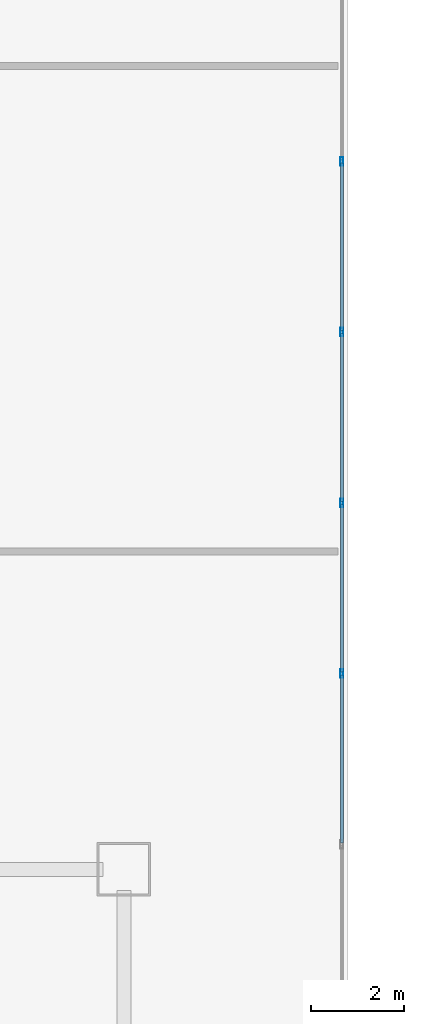
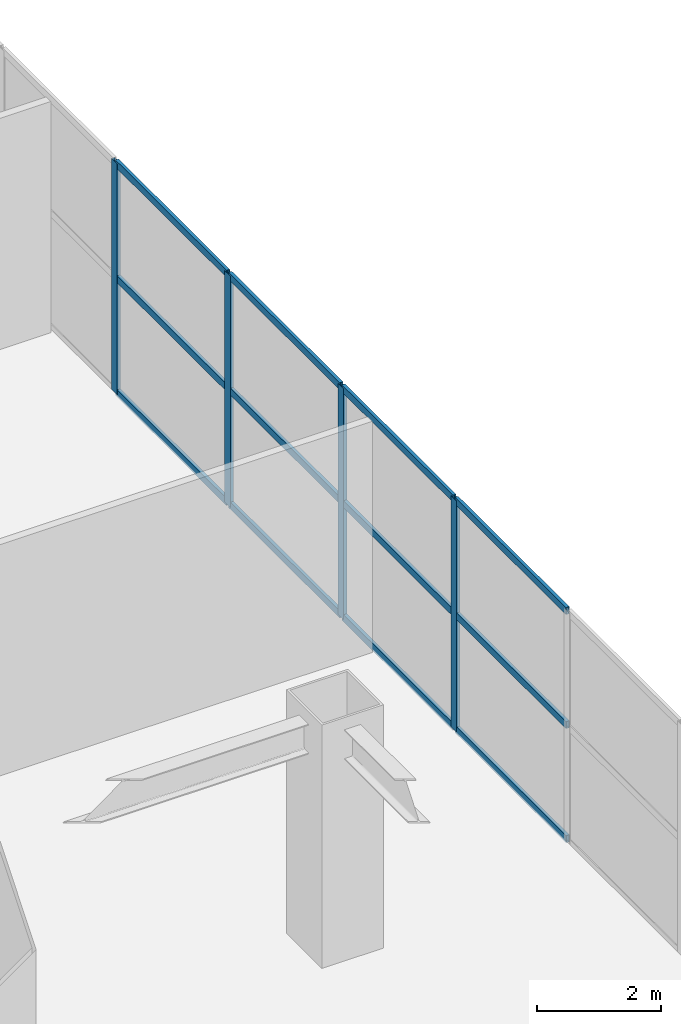
# One storey, part 20 of 31: 16 members, 1 element without a shape of its own.
"""IFC4 building model written with IfcOpenShell, lengths in metres."""

from ifc_helpers import new_model, si_unit, direction, frame, origin, origin_2d, place, context, subcontext, project, spatial, hollow_rectangle, extrude, material, layer, layer_set, material_profile, profile_set, type_object, element, aggregate, save


model = new_model("IFC4")

# Units and contexts
model_context = context("Model", 3, precision=1e-05, world=origin(), true_north=direction((0.0, 1.0)))
body_context = subcontext(model_context, "Body", "Model", "MODEL_VIEW")
ifc_project = project(units=[si_unit("LENGTHUNIT", "METRE"), si_unit("AREAUNIT", "SQUARE_METRE"), si_unit("VOLUMEUNIT", "CUBIC_METRE"), si_unit("PLANEANGLEUNIT", "RADIAN"), si_unit("MASSUNIT", "GRAM", prefix="KILO")], contexts=[model_context])

# Site, building, storey
site_placement = place(None, origin())
site = spatial("IfcSite", under=ifc_project, at=site_placement, CompositionType="ELEMENT")
building_placement = place(site_placement, origin())
building = spatial("IfcBuilding", under=site, at=building_placement, Name="Haolan Belvedere Tower", CompositionType="ELEMENT")
storey_placement = place(building_placement, frame((0.0, 0.0, 5.39990234375)))
storey = spatial("IfcBuildingStorey", under=building, at=storey_placement, Name="L01", CompositionType="ELEMENT", Elevation=5.39990234375)

# Curtain wall, members
ifc_material_1 = material(Name="Anodised champagne-silver aluminium 6063-T6 and Low-E glass", Category="aluminium")
ifc_layer = layer(ifc_material_1, 0.179931640625, Name="Anodised champagne-silver aluminium 6063-T6 and Low-E glass")
ifc_layer_set = layer_set([ifc_layer], Name="Anodised champagne-silver aluminium 6063-T6 and Low-E glass")
curtain_wall_type = type_object("IfcCurtainWallType", Name="CW-SYS-01", PredefinedType="NOTDEFINED", material=ifc_layer_set)
curtain_wall_placement = place(storey_placement, origin())
curtain_wall = element("IfcCurtainWall", 1, at=curtain_wall_placement, inside=storey, type_object=curtain_wall_type, Name="L01 CW-SYS-01 ribbon curtain wall 2.1", PredefinedType="NOTDEFINED")
ifc_material_2 = material(Name="Anodised aluminium 6063-T6", Category="aluminium")
ifc_material_profile_1 = material_profile(ifc_material_2, hollow_rectangle(XDim=0.06494140625, YDim=0.179931640625, WallThickness=0.00390625, at=origin_2d()), Name="Anodised aluminium 6063-T6")
ifc_profile_set_1 = profile_set([ifc_material_profile_1], Name="Anodised aluminium 6063-T6")
member_type_1 = type_object("IfcMemberType", Name="CW-SYS-01-MUL", PredefinedType="MULLION", material=ifc_profile_set_1)
member_1_placement = place(storey_placement, frame((75.469970703125, 31.790283203125, 0.0), z_axis=(0.0, 0.0, 1.0), x_axis=(-1.0, 0.0, 0.0)))
member_1 = element("IfcMember", 2, at=member_1_placement, type_object=member_type_1, Name="CW-01 mullion 8", PredefinedType="MULLION", context=body_context, shape_type="SweptSolid", body=[
    extrude(hollow_rectangle(XDim=0.06494140625, YDim=0.179931640625, WallThickness=0.00390625, at=origin_2d()), origin(), (0.0, 0.0, 1.0), 4.56005859375),
])
member_2_placement = place(storey_placement, frame((75.469970703125, 35.44677734375, 0.0), z_axis=(0.0, 0.0, 1.0), x_axis=(-1.0, 0.0, 0.0)))
member_2 = element("IfcMember", 3, at=member_2_placement, type_object=member_type_1, Name="CW-01 mullion 9", PredefinedType="MULLION", context=body_context, shape_type="SweptSolid", body=[
    extrude(hollow_rectangle(XDim=0.06494140625, YDim=0.179931640625, WallThickness=0.00390625, at=origin_2d()), origin(), (0.0, 0.0, 1.0), 4.56005859375),
])
member_3_placement = place(storey_placement, frame((75.469970703125, 39.103515625, 0.0), z_axis=(0.0, 0.0, 1.0), x_axis=(-1.0, 0.0, 0.0)))
member_3 = element("IfcMember", 4, at=member_3_placement, type_object=member_type_1, Name="CW-01 mullion 10", PredefinedType="MULLION", context=body_context, shape_type="SweptSolid", body=[
    extrude(hollow_rectangle(XDim=0.06494140625, YDim=0.179931640625, WallThickness=0.00390625, at=origin_2d()), origin(), (0.0, 0.0, 1.0), 4.56005859375),
])
member_4_placement = place(storey_placement, frame((75.469970703125, 42.760009765625, 0.0), z_axis=(0.0, 0.0, 1.0), x_axis=(-1.0, 0.0, 0.0)))
member_4 = element("IfcMember", 5, at=member_4_placement, type_object=member_type_1, Name="CW-01 mullion 11", PredefinedType="MULLION", context=body_context, shape_type="SweptSolid", body=[
    extrude(hollow_rectangle(XDim=0.06494140625, YDim=0.179931640625, WallThickness=0.00390625, at=origin_2d()), origin(), (0.0, 0.0, 1.0), 4.56005859375),
])
ifc_material_profile_2 = material_profile(ifc_material_2, hollow_rectangle(XDim=0.06005859375, YDim=0.139892578125, WallThickness=0.00390625, at=origin_2d()), Name="Anodised aluminium 6063-T6")
ifc_profile_set_2 = profile_set([ifc_material_profile_2], Name="Anodised aluminium 6063-T6")
member_type_2 = type_object("IfcMemberType", Name="CW-SYS-01-TRN", PredefinedType="USERDEFINED", material=ifc_profile_set_2)
member_5_placement = place(storey_placement, frame((75.469970703125, 28.166015625, 0.030029296875), z_axis=(0.0, 1.0, 0.0), x_axis=(-1.0, 0.0, 0.0)))
member_5 = element("IfcMember", 6, at=member_5_placement, type_object=member_type_2, Name="CW-01 transom 7.1", ObjectType="TRANSOM", PredefinedType="USERDEFINED", context=body_context, shape_type="SweptSolid", body=[
    extrude(hollow_rectangle(XDim=0.06005859375, YDim=0.139892578125, WallThickness=0.00390625, at=origin_2d()), origin(), (0.0, 0.0, 1.0), 3.591796875),
])
member_6_placement = place(storey_placement, frame((75.469970703125, 28.166015625, 2.280029296875), z_axis=(0.0, 1.0, 0.0), x_axis=(-1.0, 0.0, 0.0)))
member_6 = element("IfcMember", 7, at=member_6_placement, type_object=member_type_2, Name="CW-01 transom 7.2", ObjectType="TRANSOM", PredefinedType="USERDEFINED", context=body_context, shape_type="SweptSolid", body=[
    extrude(hollow_rectangle(XDim=0.06005859375, YDim=0.139892578125, WallThickness=0.00390625, at=origin_2d()), origin(), (0.0, 0.0, 1.0), 3.591796875),
])
member_7_placement = place(storey_placement, frame((75.469970703125, 28.166015625, 4.530029296875), z_axis=(0.0, 1.0, 0.0), x_axis=(-1.0, 0.0, 0.0)))
member_7 = element("IfcMember", 8, at=member_7_placement, type_object=member_type_2, Name="CW-01 transom 7.3", ObjectType="TRANSOM", PredefinedType="USERDEFINED", context=body_context, shape_type="SweptSolid", body=[
    extrude(hollow_rectangle(XDim=0.06005859375, YDim=0.139892578125, WallThickness=0.00390625, at=origin_2d()), origin(), (0.0, 0.0, 1.0), 3.591796875),
])
member_8_placement = place(storey_placement, frame((75.469970703125, 31.82275390625, 0.030029296875), z_axis=(0.0, 1.0, 0.0), x_axis=(-1.0, 0.0, 0.0)))
member_8 = element("IfcMember", 9, at=member_8_placement, type_object=member_type_2, Name="CW-01 transom 8.1", ObjectType="TRANSOM", PredefinedType="USERDEFINED", context=body_context, shape_type="SweptSolid", body=[
    extrude(hollow_rectangle(XDim=0.06005859375, YDim=0.139892578125, WallThickness=0.00390625, at=origin_2d()), origin(), (0.0, 0.0, 1.0), 3.591552734375),
])
member_9_placement = place(storey_placement, frame((75.469970703125, 31.82275390625, 2.280029296875), z_axis=(0.0, 1.0, 0.0), x_axis=(-1.0, 0.0, 0.0)))
member_9 = element("IfcMember", 10, at=member_9_placement, type_object=member_type_2, Name="CW-01 transom 8.2", ObjectType="TRANSOM", PredefinedType="USERDEFINED", context=body_context, shape_type="SweptSolid", body=[
    extrude(hollow_rectangle(XDim=0.06005859375, YDim=0.139892578125, WallThickness=0.00390625, at=origin_2d()), origin(), (0.0, 0.0, 1.0), 3.591552734375),
])
member_10_placement = place(storey_placement, frame((75.469970703125, 31.82275390625, 4.530029296875), z_axis=(0.0, 1.0, 0.0), x_axis=(-1.0, 0.0, 0.0)))
member_10 = element("IfcMember", 11, at=member_10_placement, type_object=member_type_2, Name="CW-01 transom 8.3", ObjectType="TRANSOM", PredefinedType="USERDEFINED", context=body_context, shape_type="SweptSolid", body=[
    extrude(hollow_rectangle(XDim=0.06005859375, YDim=0.139892578125, WallThickness=0.00390625, at=origin_2d()), origin(), (0.0, 0.0, 1.0), 3.591552734375),
])
member_11_placement = place(storey_placement, frame((75.469970703125, 35.479248046875, 0.030029296875), z_axis=(0.0, 1.0, 0.0), x_axis=(-1.0, 0.0, 0.0)))
member_11 = element("IfcMember", 12, at=member_11_placement, type_object=member_type_2, Name="CW-01 transom 9.1", ObjectType="TRANSOM", PredefinedType="USERDEFINED", context=body_context, shape_type="SweptSolid", body=[
    extrude(hollow_rectangle(XDim=0.06005859375, YDim=0.139892578125, WallThickness=0.00390625, at=origin_2d()), origin(), (0.0, 0.0, 1.0), 3.591796875),
])
member_12_placement = place(storey_placement, frame((75.469970703125, 35.479248046875, 2.280029296875), z_axis=(0.0, 1.0, 0.0), x_axis=(-1.0, 0.0, 0.0)))
member_12 = element("IfcMember", 13, at=member_12_placement, type_object=member_type_2, Name="CW-01 transom 9.2", ObjectType="TRANSOM", PredefinedType="USERDEFINED", context=body_context, shape_type="SweptSolid", body=[
    extrude(hollow_rectangle(XDim=0.06005859375, YDim=0.139892578125, WallThickness=0.00390625, at=origin_2d()), origin(), (0.0, 0.0, 1.0), 3.591796875),
])
member_13_placement = place(storey_placement, frame((75.469970703125, 35.479248046875, 4.530029296875), z_axis=(0.0, 1.0, 0.0), x_axis=(-1.0, 0.0, 0.0)))
member_13 = element("IfcMember", 14, at=member_13_placement, type_object=member_type_2, Name="CW-01 transom 9.3", ObjectType="TRANSOM", PredefinedType="USERDEFINED", context=body_context, shape_type="SweptSolid", body=[
    extrude(hollow_rectangle(XDim=0.06005859375, YDim=0.139892578125, WallThickness=0.00390625, at=origin_2d()), origin(), (0.0, 0.0, 1.0), 3.591796875),
])
member_14_placement = place(storey_placement, frame((75.469970703125, 39.135986328125, 0.030029296875), z_axis=(0.0, 1.0, 0.0), x_axis=(-1.0, 0.0, 0.0)))
member_14 = element("IfcMember", 15, at=member_14_placement, type_object=member_type_2, Name="CW-01 transom 10.1", ObjectType="TRANSOM", PredefinedType="USERDEFINED", context=body_context, shape_type="SweptSolid", body=[
    extrude(hollow_rectangle(XDim=0.06005859375, YDim=0.139892578125, WallThickness=0.00390625, at=origin_2d()), origin(), (0.0, 0.0, 1.0), 3.591552734375),
])
member_15_placement = place(storey_placement, frame((75.469970703125, 39.135986328125, 2.280029296875), z_axis=(0.0, 1.0, 0.0), x_axis=(-1.0, 0.0, 0.0)))
member_15 = element("IfcMember", 16, at=member_15_placement, type_object=member_type_2, Name="CW-01 transom 10.2", ObjectType="TRANSOM", PredefinedType="USERDEFINED", context=body_context, shape_type="SweptSolid", body=[
    extrude(hollow_rectangle(XDim=0.06005859375, YDim=0.139892578125, WallThickness=0.00390625, at=origin_2d()), origin(), (0.0, 0.0, 1.0), 3.591552734375),
])
member_16_placement = place(storey_placement, frame((75.469970703125, 39.135986328125, 4.530029296875), z_axis=(0.0, 1.0, 0.0), x_axis=(-1.0, 0.0, 0.0)))
member_16 = element("IfcMember", 17, at=member_16_placement, type_object=member_type_2, Name="CW-01 transom 10.3", ObjectType="TRANSOM", PredefinedType="USERDEFINED", context=body_context, shape_type="SweptSolid", body=[
    extrude(hollow_rectangle(XDim=0.06005859375, YDim=0.139892578125, WallThickness=0.00390625, at=origin_2d()), origin(), (0.0, 0.0, 1.0), 3.591552734375),
])
aggregate(curtain_wall, [member_1, member_2, member_3, member_4, member_5, member_6, member_7, member_8, member_9, member_10, member_11, member_12, member_13, member_14, member_15, member_16])

save(model, "model.ifc")
